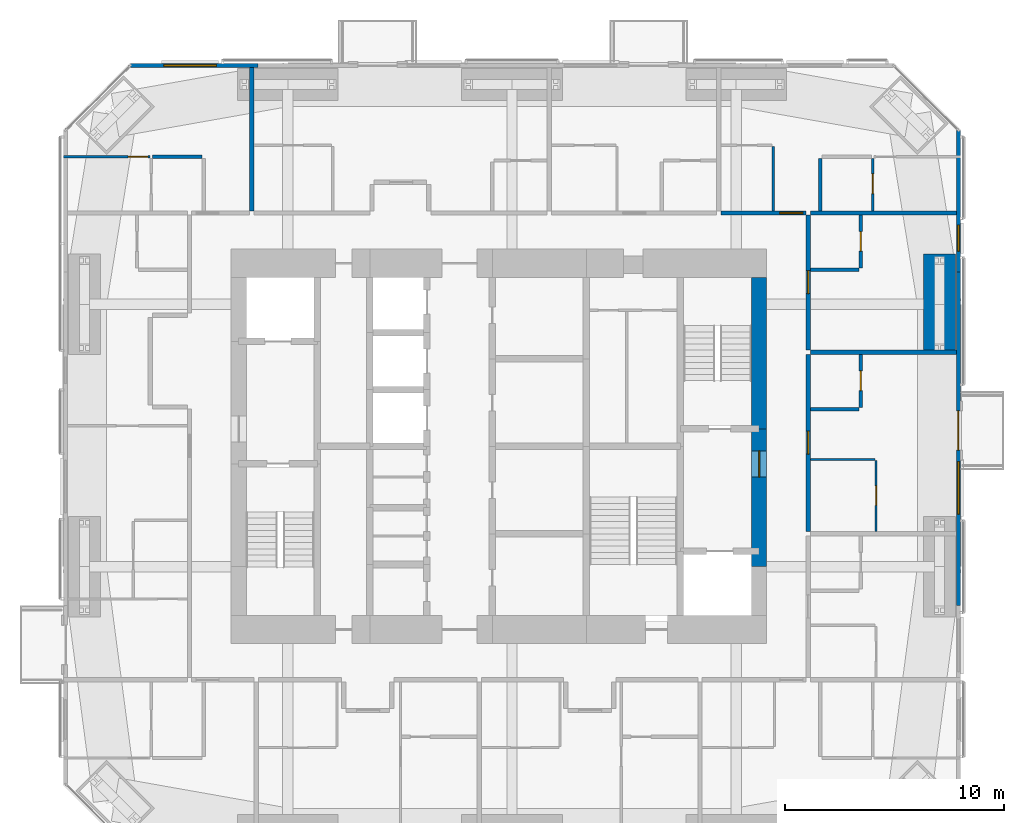
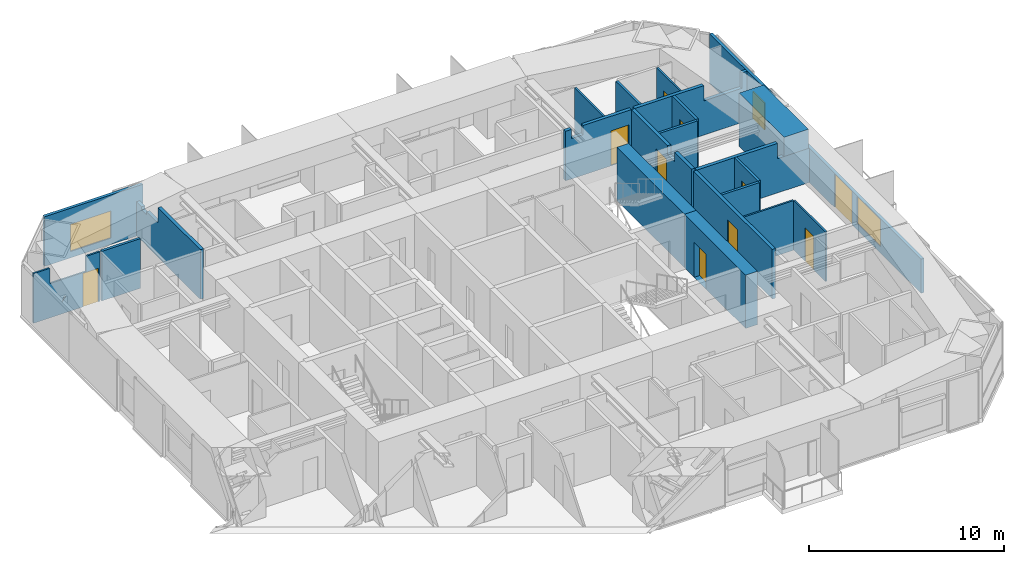
# One storey, part 20 of 22: 23 walls, 10 doors, 3 windows, 13 openings.
"""IFC4 building model written with IfcOpenShell, lengths in metres."""

from ifc_helpers import new_model, si_unit, direction, frame, frame_2d, origin, place, context, subcontext, project, spatial, polyline, rectangle, outline, extrude, material, layer, layer_set, constituent, constituent_set, type_object, element, fill, save


model = new_model("IFC4")

# Units and contexts
model_context = context("Model", 3, precision=1e-05, world=origin(), true_north=direction((0.0, 1.0)))
body_context = subcontext(model_context, "Body", "Model", "MODEL_VIEW")
ifc_project = project(units=[si_unit("LENGTHUNIT", "METRE"), si_unit("AREAUNIT", "SQUARE_METRE"), si_unit("VOLUMEUNIT", "CUBIC_METRE"), si_unit("PLANEANGLEUNIT", "RADIAN"), si_unit("MASSUNIT", "GRAM", prefix="KILO")], contexts=[model_context])

# Site, building, storey
site_placement = place(None, origin())
site = spatial("IfcSite", under=ifc_project, at=site_placement, CompositionType="ELEMENT")
building_placement = place(site_placement, origin())
building = spatial("IfcBuilding", under=site, at=building_placement, Name="Jalousie Tower", CompositionType="ELEMENT")
storey_placement = place(building_placement, frame((0.0, 0.0, 154.35009765625)))
storey = spatial("IfcBuildingStorey", under=building, at=storey_placement, Name="L41", CompositionType="ELEMENT", Elevation=154.35009765625)

# Walls
ifc_material_1 = material(Name="Concrete block ASTM C90", Category="concrete")
ifc_constituent_1 = constituent(ifc_material_1, Name="Body")
ifc_material_2 = material(Name="Render")
ifc_constituent_2 = constituent(ifc_material_2, Name="Finish")
ifc_constituent_set_1 = constituent_set(constituents=[ifc_constituent_1, ifc_constituent_2])
wall_type_1 = type_object("IfcWallType", Name="BATHROOM WALL 150", PredefinedType="PLUMBINGWALL", material=ifc_constituent_set_1)
wall_1_placement = place(storey_placement, frame((18.324951171875, 31.748291015625, 0.0), z_axis=(0.0, 0.0, 1.0), x_axis=(-1.0, 0.0, 0.0)))
element("IfcWall", 1, at=wall_1_placement, inside=storey, type_object=wall_type_1, Name="Bathroom Wall 150 L41", PredefinedType="PLUMBINGWALL", context=body_context, shape_type="SweptSolid", body=[
    extrude(rectangle(XDim=2.27490234375, YDim=0.14990234375, at=frame_2d((1.137451171875, 0.0))), origin(), (0.0, 0.0, 1.0), 3.10986328125),
])
wall_2_placement = place(storey_placement, frame((46.60009765625, 31.67333984375, 0.0), z_axis=(0.0, 0.0, 1.0), x_axis=(0.0, -1.0, 0.0)))
element("IfcWall", 2, at=wall_2_placement, inside=storey, type_object=wall_type_1, Name="Bathroom Wall 150 L41", PredefinedType="PLUMBINGWALL", context=body_context, shape_type="SweptSolid", body=[
    extrude(rectangle(XDim=2.3984375, YDim=0.14990234375, at=frame_2d((1.19921875, 0.0))), origin(), (0.0, 0.0, 1.0), 3.10986328125),
])

# Wall, opening, door
wall_3_placement = place(storey_placement, frame((48.449951171875, 20.27490234375, 0.0), z_axis=(0.0, 0.0, 1.0), x_axis=(0.0, 1.0, 0.0)))
wall_3 = element("IfcWall", 3, at=wall_3_placement, inside=storey, type_object=wall_type_1, Name="Bathroom Wall 150 L41", PredefinedType="PLUMBINGWALL", context=body_context, shape_type="SweptSolid", body=[
    extrude(rectangle(XDim=2.425048828125, YDim=0.14990234375, at=frame_2d((1.21240234375, 0.0))), origin(), (0.0, 0.0, 1.0), 3.10986328125),
])
opening_1_placement = place(wall_3_placement, frame((0.77490234375, 0.0, 0.0)))
opening_1 = element("IfcOpeningElement", 4, at=opening_1_placement, cuts=wall_3, Name="Opening D3", PredefinedType="OPENING", context=body_context, shape_type="SweptSolid", body=[
    extrude(rectangle(XDim=0.89990234375, YDim=2.10009765625, at=frame_2d((0.449951171875, 1.050048828125))), frame((0.0, 0.0849609375, 0.0), z_axis=(0.0, -1.0, 0.0), x_axis=(1.0, 0.0, 0.0)), (0.0, 0.0, 1.0), 0.169921875),
])
ifc_material_3 = material(Name="Timber door", Category="wood")
door_type_1 = type_object("IfcDoorType", Name="BATHROOM DOOR 900", OperationType="SINGLE_SWING_LEFT", PredefinedType="DOOR", material=ifc_material_3)
door_1_placement = place(opening_1_placement, origin())
door_1 = element("IfcDoor", 5, at=door_1_placement, inside=storey, type_object=door_type_1, Name="Apartment 4111 bathroom door", OperationType="SINGLE_SWING_RIGHT", OverallHeight=2.10009765625, OverallWidth=0.89990234375, PredefinedType="DOOR", context=body_context, shape_type="SweptSolid", body=[
    extrude(rectangle(XDim=0.89990234375, YDim=2.10009765625, at=frame_2d((0.449951171875, 1.050048828125))), frame((0.0, 0.02490234375, 0.0), z_axis=(0.0, -1.0, 0.0), x_axis=(1.0, 0.0, 0.0)), (0.0, 0.0, 1.0), 0.050048828125),
])
fill(opening_1, door_1)

# Wall
wall_4_placement = place(storey_placement, frame((48.375, 20.199951171875, 0.0), z_axis=(0.0, 0.0, 1.0), x_axis=(-1.0, 0.0, 0.0)))
element("IfcWall", 6, at=wall_4_placement, inside=storey, type_object=wall_type_1, Name="Bathroom Wall 150 L41", PredefinedType="PLUMBINGWALL", context=body_context, shape_type="SweptSolid", body=[
    extrude(rectangle(XDim=2.22509765625, YDim=0.14990234375, at=frame_2d((1.112548828125, 0.0))), origin(), (0.0, 0.0, 1.0), 3.10986328125),
])

# Wall, opening, door
wall_5_placement = place(storey_placement, frame((48.449951171875, 26.64990234375, 0.0), z_axis=(0.0, 0.0, 1.0), x_axis=(0.0, 1.0, 0.0)))
wall_5 = element("IfcWall", 7, at=wall_5_placement, inside=storey, type_object=wall_type_1, Name="Bathroom Wall 150 L41", PredefinedType="PLUMBINGWALL", context=body_context, shape_type="SweptSolid", body=[
    extrude(rectangle(XDim=2.425048828125, YDim=0.14990234375, at=frame_2d((1.21240234375, 0.0))), origin(), (0.0, 0.0, 1.0), 3.10986328125),
])
opening_2_placement = place(wall_5_placement, frame((0.77490234375, 0.0, 0.0)))
opening_2 = element("IfcOpeningElement", 8, at=opening_2_placement, cuts=wall_5, Name="Opening D3", PredefinedType="OPENING", context=body_context, shape_type="SweptSolid", body=[
    extrude(rectangle(XDim=0.89990234375, YDim=2.10009765625, at=frame_2d((0.449951171875, 1.050048828125))), frame((0.0, 0.0849609375, 0.0), z_axis=(0.0, -1.0, 0.0), x_axis=(1.0, 0.0, 0.0)), (0.0, 0.0, 1.0), 0.169921875),
])
door_2_placement = place(opening_2_placement, origin())
door_2 = element("IfcDoor", 9, at=door_2_placement, inside=storey, type_object=door_type_1, Name="Apartment 4112 bathroom door", OperationType="SINGLE_SWING_RIGHT", OverallHeight=2.10009765625, OverallWidth=0.89990234375, PredefinedType="DOOR", context=body_context, shape_type="SweptSolid", body=[
    extrude(rectangle(XDim=0.89990234375, YDim=2.10009765625, at=frame_2d((0.449951171875, 1.050048828125))), frame((0.0, 0.02490234375, 0.0), z_axis=(0.0, -1.0, 0.0), x_axis=(1.0, 0.0, 0.0)), (0.0, 0.0, 1.0), 0.050048828125),
])
fill(opening_2, door_2)

# Wall
wall_6_placement = place(storey_placement, frame((48.375, 26.574951171875, 0.0), z_axis=(0.0, 0.0, 1.0), x_axis=(-1.0, 0.0, 0.0)))
element("IfcWall", 10, at=wall_6_placement, inside=storey, type_object=wall_type_1, Name="Bathroom Wall 150 L41", PredefinedType="PLUMBINGWALL", context=body_context, shape_type="SweptSolid", body=[
    extrude(rectangle(XDim=2.22509765625, YDim=0.14990234375, at=frame_2d((1.112548828125, 0.0))), origin(), (0.0, 0.0, 1.0), 3.10986328125),
])

# Wall, opening, door
ifc_material_4 = material(Name="Concrete f'c 120 MPa", Category="concrete")
ifc_layer_1 = layer(ifc_material_4, 0.699951171875)
ifc_layer_set_1 = layer_set([ifc_layer_1], Name="Concrete f'c 120 MPa")
wall_type_2 = type_object("IfcWallType", Name="CORE WALL 700", PredefinedType="SHEAR", material=ifc_layer_set_1)
wall_7_placement = place(storey_placement, frame((43.800048828125, 13.0, 0.0), z_axis=(0.0, 0.0, 1.0), x_axis=(0.0, 1.0, 0.0)))
wall_7 = element("IfcWall", 11, at=wall_7_placement, inside=storey, type_object=wall_type_2, Name="Core wall EB L41", PredefinedType="SHEAR", context=body_context, shape_type="SweptSolid", body=[
    extrude(rectangle(XDim=6.300048828125, YDim=0.699951171875, at=frame_2d((3.14990234375, 0.0))), origin(), (0.0, 0.0, 1.0), 3.349853515625),
])
opening_3_placement = place(wall_7_placement, frame((4.10009765625, 0.0, 0.0)))
opening_3 = element("IfcOpeningElement", 12, at=opening_3_placement, cuts=wall_7, Name="Opening D11", PredefinedType="OPENING", context=body_context, shape_type="SweptSolid", body=[
    extrude(rectangle(XDim=1.199951171875, YDim=2.199951171875, at=frame_2d((0.60009765625, 1.10009765625))), frame((0.0, 0.35986328125, 0.0), z_axis=(0.0, -1.0, 0.0), x_axis=(1.0, 0.0, 0.0)), (0.0, 0.0, 1.0), 0.719970703125),
])
ifc_material_5 = material(Name="Steel fire door", Category="steel")
door_type_2 = type_object("IfcDoorType", Name="FIRE DOOR 1200", OperationType="SINGLE_SWING_LEFT", PredefinedType="DOOR", material=ifc_material_5)
door_3_placement = place(opening_3_placement, origin())
door_3 = element("IfcDoor", 13, at=door_3_placement, inside=storey, type_object=door_type_2, Name="Fire-fighting lobby B door", OperationType="SINGLE_SWING_RIGHT", OverallHeight=2.199951171875, OverallWidth=1.199951171875, PredefinedType="DOOR", context=body_context, shape_type="SweptSolid", body=[
    extrude(rectangle(XDim=1.199951171875, YDim=2.199951171875, at=frame_2d((0.60009765625, 1.10009765625))), frame((0.0, 0.02490234375, 0.0), z_axis=(0.0, -1.0, 0.0), x_axis=(1.0, 0.0, 0.0)), (0.0, 0.0, 1.0), 0.050048828125),
])
fill(opening_3, door_3)

# Wall
wall_8_placement = place(storey_placement, frame((43.800048828125, 19.300048828125, 0.0), z_axis=(0.0, 0.0, 1.0), x_axis=(0.0, 1.0, 0.0)))
element("IfcWall", 14, at=wall_8_placement, inside=storey, type_object=wall_type_2, Name="Core wall EC L41", PredefinedType="SHEAR", context=body_context, shape_type="SweptSolid", body=[
    extrude(rectangle(XDim=6.925048828125, YDim=0.699951171875, at=frame_2d((3.46240234375, 0.0))), origin(), (0.0, 0.0, 1.0), 3.349853515625),
])

# Wall, opening, door
ifc_material_6 = material(Name="Concrete block ASTM C90", Category="concrete")
ifc_constituent_3 = constituent(ifc_material_6, Name="Body")
ifc_material_7 = material(Name="Render")
ifc_constituent_4 = constituent(ifc_material_7, Name="Finish")
ifc_constituent_set_2 = constituent_set(constituents=[ifc_constituent_3, ifc_constituent_4])
wall_type_3 = type_object("IfcWallType", Name="CORRIDOR WALL 200", PredefinedType="PARTITIONING", material=ifc_constituent_set_2)
wall_9_placement = place(storey_placement, frame((42.050048828125, 29.175048828125, 0.0), z_axis=(0.0, 0.0, 1.0), x_axis=(1.0, 0.0, 0.0)))
wall_9 = element("IfcWall", 15, at=wall_9_placement, inside=storey, type_object=wall_type_3, Name="Corridor Wall 200 L41", PredefinedType="PARTITIONING", context=body_context, shape_type="SweptSolid", body=[
    extrude(outline(polyline([(0.0, 0.0), (3.89990234375, 0.0), (3.89990234375, 3.10986328125), (1.046142578125, 3.10986328125), (1.046142578125, 2.531005859375), (0.353759765625, 2.531005859375), (0.353759765625, 3.10986328125), (0.0, 3.10986328125), (0.0, 0.0)])), frame((0.0, 0.10009765625, 0.0), z_axis=(0.0, -1.0, 0.0), x_axis=(1.0, 0.0, 0.0)), (0.0, 0.0, 1.0), 0.199951171875),
])
opening_4_placement = place(wall_9_placement, frame((2.699951171875, 0.0, 0.0)))
opening_4 = element("IfcOpeningElement", 16, at=opening_4_placement, cuts=wall_9, Name="Opening D1", PredefinedType="OPENING", context=body_context, shape_type="SweptSolid", body=[
    extrude(rectangle(XDim=1.050048828125, YDim=2.199951171875, at=frame_2d((0.52490234375, 1.10009765625))), frame((0.0, 0.10986328125, 0.0), z_axis=(0.0, -1.0, 0.0), x_axis=(1.0, 0.0, 0.0)), (0.0, 0.0, 1.0), 0.219970703125),
])
ifc_material_8 = material(Name="Timber fire door", Category="wood")
door_type_3 = type_object("IfcDoorType", Name="APARTMENT ENTRANCE DOOR 1050", OperationType="SINGLE_SWING_LEFT", PredefinedType="DOOR", material=ifc_material_8)
door_4_placement = place(opening_4_placement, origin())
door_4 = element("IfcDoor", 17, at=door_4_placement, inside=storey, type_object=door_type_3, Name="Apartment 4108 entrance", OperationType="SINGLE_SWING_LEFT", OverallHeight=2.199951171875, OverallWidth=1.050048828125, PredefinedType="DOOR", context=body_context, shape_type="SweptSolid", body=[
    extrude(rectangle(XDim=1.050048828125, YDim=2.199951171875, at=frame_2d((0.52490234375, 1.10009765625))), frame((0.0, 0.02490234375, 0.0), z_axis=(0.0, -1.0, 0.0), x_axis=(1.0, 0.0, 0.0)), (0.0, 0.0, 1.0), 0.050048828125),
])
fill(opening_4, door_4)

wall_10_placement = place(storey_placement, frame((46.050048828125, 14.60009765625, 0.0), z_axis=(0.0, 0.0, 1.0), x_axis=(0.0, 1.0, 0.0)))
wall_10 = element("IfcWall", 18, at=wall_10_placement, inside=storey, type_object=wall_type_3, Name="Corridor Wall 200 L41", PredefinedType="PARTITIONING", context=body_context, shape_type="SweptSolid", body=[
    extrude(rectangle(XDim=8.099853515625, YDim=0.199951171875, at=frame_2d((4.0498046875, 0.0))), origin(), (0.0, 0.0, 1.0), 3.10986328125),
])
opening_5_placement = place(wall_10_placement, frame((3.550048828125, 0.0, 0.0)))
opening_5 = element("IfcOpeningElement", 19, at=opening_5_placement, cuts=wall_10, Name="Opening D1", PredefinedType="OPENING", context=body_context, shape_type="SweptSolid", body=[
    extrude(rectangle(XDim=1.050048828125, YDim=2.199951171875, at=frame_2d((0.52490234375, 1.10009765625))), frame((0.0, 0.10986328125, 0.0), z_axis=(0.0, -1.0, 0.0), x_axis=(1.0, 0.0, 0.0)), (0.0, 0.0, 1.0), 0.219970703125),
])
door_5_placement = place(opening_5_placement, frame((1.050048828125, 0.0, 0.0), z_axis=(0.0, 0.0, 1.0), x_axis=(-1.0, 0.0, 0.0)))
door_5 = element("IfcDoor", 20, at=door_5_placement, inside=storey, type_object=door_type_3, Name="Apartment 4111 entrance", OperationType="SINGLE_SWING_RIGHT", OverallHeight=2.199951171875, OverallWidth=1.050048828125, PredefinedType="DOOR", context=body_context, shape_type="SweptSolid", body=[
    extrude(rectangle(XDim=1.050048828125, YDim=2.199951171875, at=frame_2d((0.52490234375, 1.10009765625))), frame((0.0, 0.02490234375, 0.0), z_axis=(0.0, -1.0, 0.0), x_axis=(1.0, 0.0, 0.0)), (0.0, 0.0, 1.0), 0.050048828125),
])
fill(opening_5, door_5)

wall_11_placement = place(storey_placement, frame((46.050048828125, 22.89990234375, 0.0), z_axis=(0.0, 0.0, 1.0), x_axis=(0.0, 1.0, 0.0)))
wall_11 = element("IfcWall", 21, at=wall_11_placement, inside=storey, type_object=wall_type_3, Name="Corridor Wall 200 L41", PredefinedType="PARTITIONING", context=body_context, shape_type="SweptSolid", body=[
    extrude(outline(polyline([(0.0, 0.0), (6.175048828125, 0.0), (6.175048828125, 3.10986328125), (2.4462890625, 3.10986328125), (2.4462890625, 2.531005859375), (1.75390625, 2.531005859375), (1.75390625, 3.10986328125), (0.0, 3.10986328125), (0.0, 0.0)])), frame((0.0, 0.10009765625, 0.0), z_axis=(0.0, -1.0, 0.0), x_axis=(1.0, 0.0, 0.0)), (0.0, 0.0, 1.0), 0.199951171875),
])
opening_6_placement = place(wall_11_placement, frame((2.58740234375, 0.0, 0.0)))
opening_6 = element("IfcOpeningElement", 22, at=opening_6_placement, cuts=wall_11, Name="Opening D1", PredefinedType="OPENING", context=body_context, shape_type="SweptSolid", body=[
    extrude(rectangle(XDim=1.050048828125, YDim=2.199951171875, at=frame_2d((0.52490234375, 1.10009765625))), frame((0.0, 0.10986328125, 0.0), z_axis=(0.0, -1.0, 0.0), x_axis=(1.0, 0.0, 0.0)), (0.0, 0.0, 1.0), 0.219970703125),
])
door_6_placement = place(opening_6_placement, frame((1.050048828125, 0.0, 0.0), z_axis=(0.0, 0.0, 1.0), x_axis=(-1.0, 0.0, 0.0)))
door_6 = element("IfcDoor", 23, at=door_6_placement, inside=storey, type_object=door_type_3, Name="Apartment 4112 entrance", OperationType="SINGLE_SWING_LEFT", OverallHeight=2.199951171875, OverallWidth=1.050048828125, PredefinedType="DOOR", context=body_context, shape_type="SweptSolid", body=[
    extrude(rectangle(XDim=1.050048828125, YDim=2.199951171875, at=frame_2d((0.52490234375, 1.10009765625))), frame((0.0, 0.02490234375, 0.0), z_axis=(0.0, -1.0, 0.0), x_axis=(1.0, 0.0, 0.0)), (0.0, 0.0, 1.0), 0.050048828125),
])
fill(opening_6, door_6)

# Wall, openings, door, window
ifc_material_9 = material(Name="Concrete f'c 40 MPa", Category="concrete")
ifc_constituent_5 = constituent(ifc_material_9, Name="Body")
ifc_material_10 = material(Name="Render, pastel lemon")
ifc_constituent_6 = constituent(ifc_material_10, Name="Finish")
ifc_constituent_set_3 = constituent_set(constituents=[ifc_constituent_5, ifc_constituent_6])
wall_type_4 = type_object("IfcWallType", Name="EXTERNAL WALL 175 LEMON RENDER", PredefinedType="SOLIDWALL", material=ifc_constituent_set_3)
wall_12_placement = place(storey_placement, frame((52.91259765625, 11.220947265625, 0.0), z_axis=(0.0, 0.0, 1.0), x_axis=(0.0, 1.0, 0.0)))
wall_12 = element("IfcWall", 24, at=wall_12_placement, inside=storey, type_object=wall_type_4, Name="External Wall 175 Lemon Render L41-B", PredefinedType="SOLIDWALL", context=body_context, shape_type="SweptSolid", body=[
    extrude(rectangle(XDim=15.251220703125, YDim=0.175048828125, at=frame_2d((7.62548828125, 0.0))), origin(), (0.0, 0.0, 1.0), 2.14990234375),
])
opening_7_placement = place(wall_12_placement, frame((7.10400390625, 0.0, 0.0)))
opening_7 = element("IfcOpeningElement", 25, at=opening_7_placement, cuts=wall_12, Name="Opening D-BAL21", PredefinedType="OPENING", context=body_context, shape_type="SweptSolid", body=[
    extrude(rectangle(XDim=1.800048828125, YDim=2.10009765625, at=frame_2d((0.89990234375, 1.050048828125))), frame((0.0, 0.097412109375, 0.0), z_axis=(0.0, -1.0, 0.0), x_axis=(1.0, 0.0, 0.0)), (0.0, 0.0, 1.0), 0.195068359375),
])
opening_8_placement = place(wall_12_placement, frame((4.17919921875, 0.0, 0.39990234375)))
opening_8 = element("IfcOpeningElement", 26, at=opening_8_placement, cuts=wall_12, Name="Opening W-LIV170", PredefinedType="OPENING", context=body_context, shape_type="SweptSolid", body=[
    extrude(rectangle(XDim=2.39990234375, YDim=1.699951171875, at=frame_2d((1.199951171875, 0.85009765625))), frame((0.0, 0.097412109375, 0.0), z_axis=(0.0, -1.0, 0.0), x_axis=(1.0, 0.0, 0.0)), (0.0, 0.0, 1.0), 0.195068359375),
])
ifc_material_11 = material(Name="Aluminium frame, impact-rated glazing", Category="aluminium")
door_type_4 = type_object("IfcDoorType", Name="BALCONY DOOR 1800x2100", OperationType="SLIDING_TO_LEFT", PredefinedType="DOOR", material=ifc_material_11)
door_7_placement = place(opening_7_placement, origin())
door_7 = element("IfcDoor", 27, at=door_7_placement, inside=storey, type_object=door_type_4, Name="Apartment 4111 studio living and sleeping room balcony door", OperationType="SLIDING_TO_LEFT", OverallHeight=2.10009765625, OverallWidth=1.800048828125, PredefinedType="DOOR", context=body_context, shape_type="SweptSolid", body=[
    extrude(rectangle(XDim=1.800048828125, YDim=2.10009765625, at=frame_2d((0.89990234375, 1.050048828125))), frame((0.0, 0.02490234375, 0.0), z_axis=(0.0, -1.0, 0.0), x_axis=(1.0, 0.0, 0.0)), (0.0, 0.0, 1.0), 0.050048828125),
])
fill(opening_7, door_7)
ifc_material_12 = material(Name="Aluminium frame, impact-rated glazing", Category="aluminium")
window_type_1 = type_object("IfcWindowType", Name="WINDOW LIV 2400x1700", PartitioningType="DOUBLE_PANEL_VERTICAL", PredefinedType="WINDOW", material=ifc_material_12)
window_1_placement = place(opening_8_placement, origin())
window_1 = element("IfcWindow", 28, at=window_1_placement, inside=storey, type_object=window_type_1, Name="Apartment 4111 studio living and sleeping room window", OverallHeight=1.699951171875, OverallWidth=2.39990234375, PartitioningType="SINGLE_PANEL", PredefinedType="WINDOW", context=body_context, shape_type="SweptSolid", body=[
    extrude(rectangle(XDim=2.39990234375, YDim=1.699951171875, at=frame_2d((1.199951171875, 0.85009765625))), frame((0.0, 0.030029296875, 0.0), z_axis=(0.0, -1.0, 0.0), x_axis=(1.0, 0.0, 0.0)), (0.0, 0.0, 1.0), 0.06005859375),
])
fill(opening_8, window_1)

# Wall, opening, window
wall_13_placement = place(storey_placement, frame((52.91259765625, 26.47216796875, 0.0), z_axis=(0.0, 0.0, 1.0), x_axis=(0.0, 1.0, 0.0)))
wall_13 = element("IfcWall", 29, at=wall_13_placement, inside=storey, type_object=wall_type_4, Name="External Wall 175 Lemon Render L41-C", PredefinedType="SOLIDWALL", context=body_context, shape_type="SweptSolid", body=[
    extrude(rectangle(XDim=6.4765625, YDim=0.175048828125, at=frame_2d((3.23828125, 0.0))), origin(), (0.0, 0.0, 1.0), 3.10986328125),
])
opening_9_placement = place(wall_13_placement, frame((0.952392578125, 0.0, 0.39990234375)))
opening_9 = element("IfcOpeningElement", 30, at=opening_9_placement, cuts=wall_13, Name="Opening W-COR170", PredefinedType="OPENING", context=body_context, shape_type="SweptSolid", body=[
    extrude(rectangle(XDim=1.199951171875, YDim=1.699951171875, at=frame_2d((0.60009765625, 0.85009765625))), frame((0.0, 0.097412109375, 0.0), z_axis=(0.0, -1.0, 0.0), x_axis=(1.0, 0.0, 0.0)), (0.0, 0.0, 1.0), 0.195068359375),
])
ifc_material_13 = material(Name="Aluminium frame, impact-rated glazing", Category="aluminium")
window_type_2 = type_object("IfcWindowType", Name="WINDOW COR 1200x1700", PartitioningType="SINGLE_PANEL", PredefinedType="WINDOW", material=ifc_material_13)
window_2_placement = place(opening_9_placement, origin())
window_2 = element("IfcWindow", 31, at=window_2_placement, inside=storey, type_object=window_type_2, Name="Apartment 4112 studio kitchen, living and sleeping room window", OverallHeight=1.699951171875, OverallWidth=1.199951171875, PartitioningType="SINGLE_PANEL", PredefinedType="WINDOW", context=body_context, shape_type="SweptSolid", body=[
    extrude(rectangle(XDim=1.199951171875, YDim=1.699951171875, at=frame_2d((0.60009765625, 0.85009765625))), frame((0.0, 0.030029296875, 0.0), z_axis=(0.0, -1.0, 0.0), x_axis=(1.0, 0.0, 0.0)), (0.0, 0.0, 1.0), 0.06005859375),
])
fill(opening_9, window_2)

wall_14_placement = place(storey_placement, frame((20.890869140625, 35.91259765625, 0.0), z_axis=(0.0, 0.0, 1.0), x_axis=(-1.0, 0.0, 0.0)))
wall_14 = element("IfcWall", 32, at=wall_14_placement, inside=storey, type_object=wall_type_4, Name="External Wall 175 Lemon Render L41-C", PredefinedType="SOLIDWALL", context=body_context, shape_type="SweptSolid", body=[
    extrude(rectangle(XDim=5.839599609375, YDim=0.175048828125, at=frame_2d((2.919921875, 0.0))), origin(), (0.0, 0.0, 1.0), 3.10986328125),
])
opening_10_placement = place(wall_14_placement, frame((1.915283203125, 0.0, 0.39990234375)))
opening_10 = element("IfcOpeningElement", 33, at=opening_10_placement, cuts=wall_14, Name="Opening W-LIV170", PredefinedType="OPENING", context=body_context, shape_type="SweptSolid", body=[
    extrude(rectangle(XDim=2.39990234375, YDim=1.699951171875, at=frame_2d((1.199951171875, 0.85009765625))), frame((0.0, 0.097412109375, 0.0), z_axis=(0.0, -1.0, 0.0), x_axis=(1.0, 0.0, 0.0)), (0.0, 0.0, 1.0), 0.195068359375),
])
window_3_placement = place(opening_10_placement, origin())
window_3 = element("IfcWindow", 34, at=window_3_placement, inside=storey, type_object=window_type_1, Name="Apartment 4105 living, dining and kitchen window", OverallHeight=1.699951171875, OverallWidth=2.39990234375, PartitioningType="SINGLE_PANEL", PredefinedType="WINDOW", context=body_context, shape_type="SweptSolid", body=[
    extrude(rectangle(XDim=2.39990234375, YDim=1.699951171875, at=frame_2d((1.199951171875, 0.85009765625))), frame((0.0, 0.030029296875, 0.0), z_axis=(0.0, -1.0, 0.0), x_axis=(1.0, 0.0, 0.0)), (0.0, 0.0, 1.0), 0.06005859375),
])
fill(opening_10, window_3)

# Wall, opening, door
ifc_material_14 = material(Name="Gypsum board", Category="gypsum")
ifc_constituent_7 = constituent(ifc_material_14, Name="Body")
ifc_material_15 = material(Name="Light-gauge steel studs ASTM A653 SS Grade 33", Category="steel")
ifc_constituent_8 = constituent(ifc_material_15, Name="Framing")
ifc_constituent_set_4 = constituent_set(constituents=[ifc_constituent_7, ifc_constituent_8])
wall_type_5 = type_object("IfcWallType", Name="PARTITION 100", PredefinedType="PARTITIONING", material=ifc_constituent_set_4)
wall_15_placement = place(storey_placement, frame((15.949951171875, 31.748291015625, 0.0), z_axis=(0.0, 0.0, 1.0), x_axis=(-1.0, 0.0, 0.0)))
wall_15 = element("IfcWall", 35, at=wall_15_placement, inside=storey, type_object=wall_type_5, Name="Partition 100 L41", PredefinedType="PARTITIONING", context=body_context, shape_type="SweptSolid", body=[
    extrude(outline(polyline([(0.83544921875, 3.10986328125), (0.0, 3.10986328125), (0.0, 0.0), (3.949951171875, 0.0), (3.949951171875, 3.10986328125), (2.98291015625, 3.10986328125), (2.98291015625, 2.14990234375), (0.83544921875, 2.14990234375), (0.83544921875, 3.10986328125)]), holes=[polyline([(2.02490234375, 1.01953125), (2.12158203125, 1.074951171875), (2.256103515625, 0.738525390625), (2.25146484375, 0.73583984375), (2.02490234375, 1.01953125)])]), frame((0.0, 0.050048828125, 0.0), z_axis=(0.0, -1.0, 0.0), x_axis=(1.0, 0.0, 0.0)), (0.0, 0.0, 1.0), 0.10009765625),
])
opening_11_placement = place(wall_15_placement, frame((0.10009765625, 0.0, 0.0)))
opening_11 = element("IfcOpeningElement", 36, at=opening_11_placement, cuts=wall_15, Name="Opening D2", PredefinedType="OPENING", context=body_context, shape_type="SweptSolid", body=[
    extrude(rectangle(XDim=0.89990234375, YDim=2.10009765625, at=frame_2d((0.449951171875, 1.050048828125))), frame((0.0, 0.06005859375, 0.0), z_axis=(0.0, -1.0, 0.0), x_axis=(1.0, 0.0, 0.0)), (0.0, 0.0, 1.0), 0.1201171875),
])
ifc_material_16 = material(Name="Timber door", Category="wood")
door_type_5 = type_object("IfcDoorType", Name="BEDROOM DOOR 900", OperationType="SINGLE_SWING_LEFT", PredefinedType="DOOR", material=ifc_material_16)
door_8_placement = place(opening_11_placement, origin())
door_8 = element("IfcDoor", 37, at=door_8_placement, inside=storey, type_object=door_type_5, Name="Apartment 4105 bedroom 1 door", OperationType="SINGLE_SWING_LEFT", OverallHeight=2.10009765625, OverallWidth=0.89990234375, PredefinedType="DOOR", context=body_context, shape_type="SweptSolid", body=[
    extrude(rectangle(XDim=0.89990234375, YDim=2.10009765625, at=frame_2d((0.449951171875, 1.050048828125))), frame((0.0, 0.02490234375, 0.0), z_axis=(0.0, -1.0, 0.0), x_axis=(1.0, 0.0, 0.0)), (0.0, 0.0, 1.0), 0.050048828125),
])
fill(opening_11, door_8)

wall_16_placement = place(storey_placement, frame((49.0, 31.67333984375, 0.0), z_axis=(0.0, 0.0, 1.0), x_axis=(0.0, -1.0, 0.0)))
wall_16 = element("IfcWall", 38, at=wall_16_placement, inside=storey, type_object=wall_type_5, Name="Partition 100 L41", PredefinedType="PARTITIONING", context=body_context, shape_type="SweptSolid", body=[
    extrude(rectangle(XDim=2.3984375, YDim=0.10009765625, at=frame_2d((1.19921875, 0.0))), origin(), (0.0, 0.0, 1.0), 3.10986328125),
])
opening_12_placement = place(wall_16_placement, frame((0.711669921875, 0.0, 0.0)))
opening_12 = element("IfcOpeningElement", 39, at=opening_12_placement, cuts=wall_16, Name="Opening D3", PredefinedType="OPENING", context=body_context, shape_type="SweptSolid", body=[
    extrude(rectangle(XDim=0.89990234375, YDim=2.10009765625, at=frame_2d((0.449951171875, 1.050048828125))), frame((0.0, 0.06005859375, 0.0), z_axis=(0.0, -1.0, 0.0), x_axis=(1.0, 0.0, 0.0)), (0.0, 0.0, 1.0), 0.1201171875),
])
door_9_placement = place(opening_12_placement, frame((0.89990234375, 0.0, 0.0), z_axis=(0.0, 0.0, 1.0), x_axis=(-1.0, 0.0, 0.0)))
door_9 = element("IfcDoor", 40, at=door_9_placement, inside=storey, type_object=door_type_1, Name="Apartment 4108 bedroom 1 bathroom door", OperationType="SINGLE_SWING_RIGHT", OverallHeight=2.10009765625, OverallWidth=0.89990234375, PredefinedType="DOOR", context=body_context, shape_type="SweptSolid", body=[
    extrude(rectangle(XDim=0.89990234375, YDim=2.10009765625, at=frame_2d((0.449951171875, 1.050048828125))), frame((0.0, 0.02490234375, 0.0), z_axis=(0.0, -1.0, 0.0), x_axis=(1.0, 0.0, 0.0)), (0.0, 0.0, 1.0), 0.050048828125),
])
fill(opening_12, door_9)

# Wall
wall_17_placement = place(storey_placement, frame((44.449951171875, 32.22509765625, 0.0), z_axis=(0.0, 0.0, 1.0), x_axis=(0.0, -1.0, 0.0)))
element("IfcWall", 41, at=wall_17_placement, inside=storey, type_object=wall_type_5, Name="Partition 100 L41", PredefinedType="PARTITIONING", context=body_context, shape_type="SweptSolid", body=[
    extrude(rectangle(XDim=2.9501953125, YDim=0.10009765625, at=frame_2d((1.47509765625, 0.0))), origin(), (0.0, 0.0, 1.0), 3.10986328125),
])

# Wall, opening, door
wall_18_placement = place(storey_placement, frame((49.14990234375, 14.60009765625, 0.0), z_axis=(0.0, 0.0, 1.0), x_axis=(0.0, 1.0, 0.0)))
wall_18 = element("IfcWall", 42, at=wall_18_placement, inside=storey, type_object=wall_type_5, Name="Partition 100 L41", PredefinedType="PARTITIONING", context=body_context, shape_type="SweptSolid", body=[
    extrude(rectangle(XDim=3.25, YDim=0.10009765625, at=frame_2d((1.625, 0.0))), origin(), (0.0, 0.0, 1.0), 3.10986328125),
])
opening_13_placement = place(wall_18_placement, frame((1.199951171875, 0.0, 0.0)))
opening_13 = element("IfcOpeningElement", 43, at=opening_13_placement, cuts=wall_18, Name="Opening D7", PredefinedType="OPENING", context=body_context, shape_type="SweptSolid", body=[
    extrude(rectangle(XDim=0.89990234375, YDim=2.10009765625, at=frame_2d((0.449951171875, 1.050048828125))), frame((0.0, 0.06005859375, 0.0), z_axis=(0.0, -1.0, 0.0), x_axis=(1.0, 0.0, 0.0)), (0.0, 0.0, 1.0), 0.1201171875),
])
ifc_material_17 = material(Name="Timber door", Category="wood")
door_type_6 = type_object("IfcDoorType", Name="INTERNAL DOOR 900", OperationType="SINGLE_SWING_LEFT", PredefinedType="DOOR", material=ifc_material_17)
door_10_placement = place(opening_13_placement, origin())
door_10 = element("IfcDoor", 44, at=door_10_placement, inside=storey, type_object=door_type_6, Name="Apartment 4111 kitchen door", OperationType="SINGLE_SWING_RIGHT", OverallHeight=2.10009765625, OverallWidth=0.89990234375, PredefinedType="DOOR", context=body_context, shape_type="SweptSolid", body=[
    extrude(rectangle(XDim=0.89990234375, YDim=2.10009765625, at=frame_2d((0.449951171875, 1.050048828125))), frame((0.0, 0.02490234375, 0.0), z_axis=(0.0, -1.0, 0.0), x_axis=(1.0, 0.0, 0.0)), (0.0, 0.0, 1.0), 0.050048828125),
])
fill(opening_13, door_10)

# Walls
wall_19_placement = place(storey_placement, frame((49.10009765625, 17.89990234375, 0.0), z_axis=(0.0, 0.0, 1.0), x_axis=(-1.0, 0.0, 0.0)))
element("IfcWall", 45, at=wall_19_placement, inside=storey, type_object=wall_type_5, Name="Partition 100 L41", PredefinedType="PARTITIONING", context=body_context, shape_type="SweptSolid", body=[
    extrude(rectangle(XDim=2.9501953125, YDim=0.10009765625, at=frame_2d((1.47509765625, 0.0))), origin(), (0.0, 0.0, 1.0), 3.10986328125),
])
ifc_material_18 = material(Name="Concrete block ASTM C90", Category="concrete")
ifc_constituent_9 = constituent(ifc_material_18, Name="Body")
ifc_material_19 = material(Name="Render")
ifc_constituent_10 = constituent(ifc_material_19, Name="Finish")
ifc_constituent_set_5 = constituent_set(constituents=[ifc_constituent_9, ifc_constituent_10])
wall_type_6 = type_object("IfcWallType", Name="PARTY WALL 200", PredefinedType="PARTITIONING", material=ifc_constituent_set_5)
wall_20_placement = place(storey_placement, frame((20.60009765625, 35.824951171875, 0.0), z_axis=(0.0, 0.0, 1.0), x_axis=(0.0, -1.0, 0.0)))
element("IfcWall", 46, at=wall_20_placement, inside=storey, type_object=wall_type_6, Name="Party Wall 200 L41", PredefinedType="PARTITIONING", context=body_context, shape_type="SweptSolid", body=[
    extrude(outline(polyline([(0.52880859375, 2.14990234375), (0.0, 2.14990234375), (0.0, 0.0), (0.52880859375, 0.0), (0.52880859375, 0.038330078125), (1.021240234375, 0.038330078125), (1.021240234375, 0.0), (6.550048828125, 0.0), (6.550048828125, 3.10986328125), (2.1943359375, 3.10986328125), (2.1943359375, 2.14990234375), (1.021240234375, 2.14990234375), (1.021240234375, 1.96142578125), (0.52880859375, 1.96142578125), (0.52880859375, 2.14990234375)])), frame((0.0, 0.10009765625, 0.0), z_axis=(0.0, -1.0, 0.0), x_axis=(1.0, 0.0, 0.0)), (0.0, 0.0, 1.0), 0.199951171875),
])
wall_21_placement = place(storey_placement, frame((46.14990234375, 29.175048828125, 0.0), z_axis=(0.0, 0.0, 1.0), x_axis=(1.0, 0.0, 0.0)))
element("IfcWall", 47, at=wall_21_placement, inside=storey, type_object=wall_type_6, Name="Party Wall 200 L41", PredefinedType="PARTITIONING", context=body_context, shape_type="SweptSolid", body=[
    extrude(outline(polyline([(0.0, 0.0), (6.85009765625, 0.0), (6.85009765625, 3.10986328125), (6.349609375, 3.10986328125), (6.349609375, 2.14990234375), (4.1005859375, 2.14990234375), (4.1005859375, 3.10986328125), (0.0, 3.10986328125), (0.0, 0.0)])), frame((0.0, 0.10009765625, 0.0), z_axis=(0.0, -1.0, 0.0), x_axis=(1.0, 0.0, 0.0)), (0.0, 0.0, 1.0), 0.199951171875),
])
wall_22_placement = place(storey_placement, frame((52.824951171875, 22.800048828125, 0.0), z_axis=(0.0, 0.0, 1.0), x_axis=(-1.0, 0.0, 0.0)))
element("IfcWall", 48, at=wall_22_placement, inside=storey, type_object=wall_type_6, Name="Party Wall 200 L41", PredefinedType="PARTITIONING", context=body_context, shape_type="SweptSolid", body=[
    extrude(outline(polyline([(0.0, 0.0), (6.675048828125, 0.0), (6.675048828125, 3.10986328125), (1.885009765625, 3.10986328125), (1.885009765625, 2.14990234375), (0.0, 2.14990234375), (0.0, 3.10986328125), (0.0, 0.0)])), frame((0.0, 0.10009765625, 0.0), z_axis=(0.0, -1.0, 0.0), x_axis=(1.0, 0.0, 0.0)), (0.0, 0.0, 1.0), 0.199951171875),
])
ifc_material_20 = material(Name="Concrete f'c 120 MPa", Category="concrete")
ifc_layer_2 = layer(ifc_material_20, 1.449951171875)
ifc_layer_set_2 = layer_set([ifc_layer_2], Name="Concrete f'c 120 MPa")
wall_type_7 = type_object("IfcWallType", Name="RC WALL PIER 1450", PredefinedType="SHEAR", material=ifc_layer_set_2)
wall_23_placement = place(storey_placement, frame((52.050048828125, 22.699951171875, 0.0), z_axis=(0.0, 0.0, 1.0), x_axis=(0.0, 1.0, 0.0)))
element("IfcWall", 49, at=wall_23_placement, inside=storey, type_object=wall_type_7, Name="Wall pier 07 L41", PredefinedType="SHEAR", context=body_context, shape_type="SweptSolid", body=[
    extrude(rectangle(XDim=4.60009765625, YDim=1.449951171875, at=frame_2d((2.300048828125, 0.0))), origin(), (0.0, 0.0, 1.0), 3.349853515625),
])

save(model, "model.ifc")
